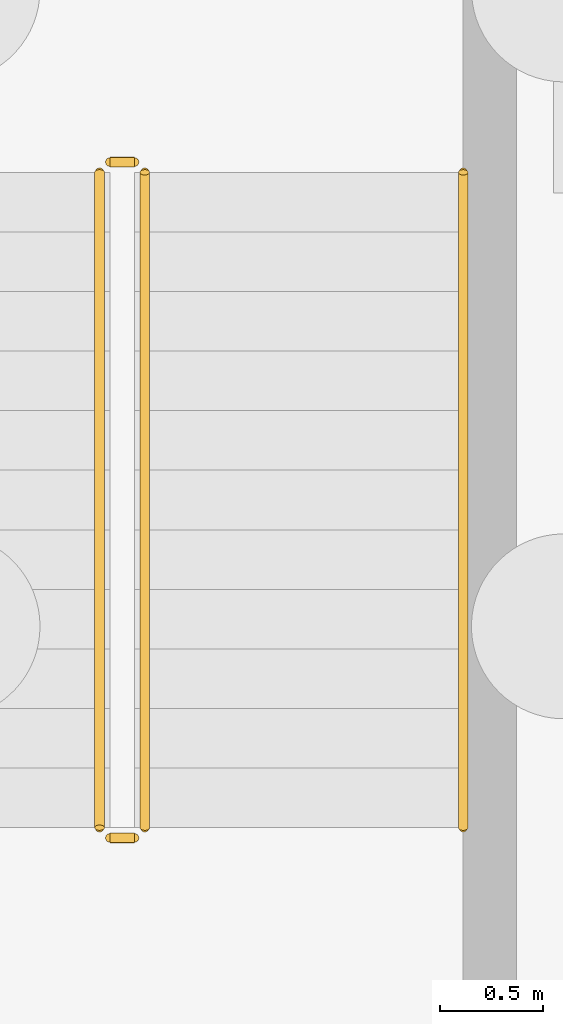
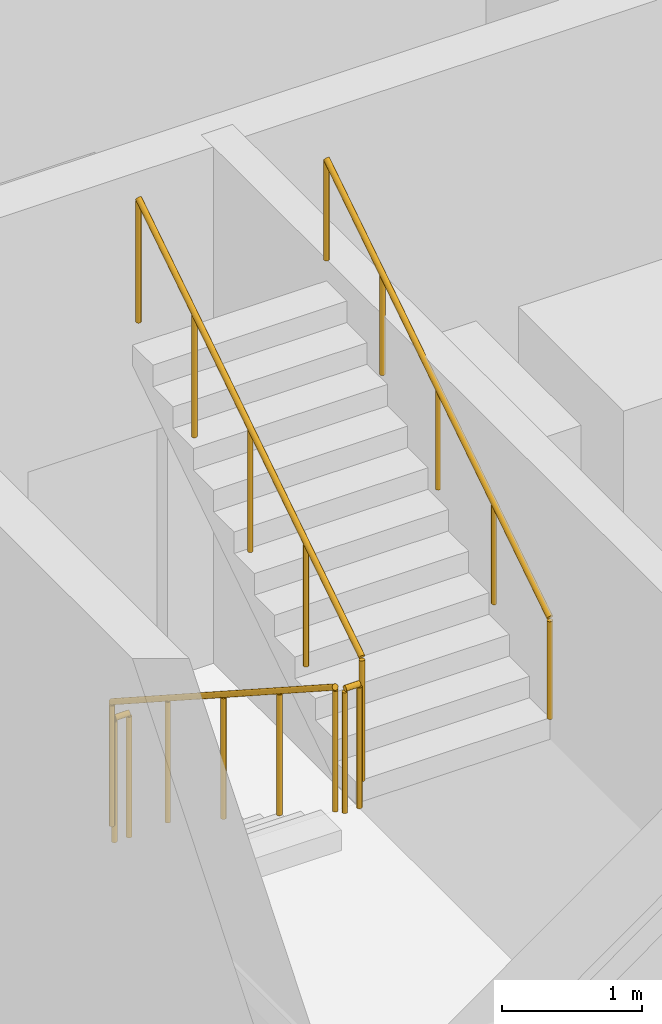
# One storey, part 17 of 22: 5 railings.
"""IFC4 building model written with IfcOpenShell, lengths in metres."""

from ifc_helpers import new_model, si_unit, direction, frame, origin, origin_2d, place, context, subcontext, project, spatial, circle, extrude, material, type_object, element, save


model = new_model("IFC4")

# Units and contexts
model_context = context("Model", 3, precision=1e-05, world=origin(), true_north=direction((0.0, 1.0)))
body_context = subcontext(model_context, "Body", "Model", "MODEL_VIEW")
ifc_project = project(units=[si_unit("LENGTHUNIT", "METRE"), si_unit("AREAUNIT", "SQUARE_METRE"), si_unit("VOLUMEUNIT", "CUBIC_METRE"), si_unit("PLANEANGLEUNIT", "RADIAN"), si_unit("MASSUNIT", "GRAM", prefix="KILO")], contexts=[model_context])

# Site, building, storey
site_placement = place(None, origin())
site = spatial("IfcSite", under=ifc_project, at=site_placement, CompositionType="ELEMENT")
building_placement = place(site_placement, origin())
building = spatial("IfcBuilding", under=site, at=building_placement, Name="Vharandega Faculty of Natural Sciences", CompositionType="ELEMENT")
storey_placement = place(building_placement, frame((0.0, 0.0, -4.5)))
storey = spatial("IfcBuildingStorey", under=building, at=storey_placement, Name="B01", CompositionType="ELEMENT", Elevation=-4.5)

# Railings
ifc_material_1 = material(Name="Brushed stainless steel handrail", Category="steel")
railing_type_1 = type_object("IfcRailingType", Name="Stair Tubular Handrail 900", PredefinedType="HANDRAIL", material=ifc_material_1)
railing_1_placement = place(storey_placement, frame((35.510009765625, 43.02001953125, 2.4375)))
element("IfcRailing", 1, at=railing_1_placement, inside=storey, type_object=railing_type_1, Name="B01 ST3 stair handrail 2", PredefinedType="HANDRAIL", context=body_context, shape_type="SweptSolid", body=[
    extrude(circle(Radius=0.02392578125, at=origin_2d()), frame((0.0, 0.0, 0.8759765625), z_axis=(0.0, 0.839759782654, 0.542958108362), x_axis=(-1.0, 0.0, 0.0)), (0.0, 0.0, 1.0), 3.798583984375),
    extrude(circle(Radius=0.02099609375, at=origin_2d()), origin(), (0.0, 0.0, 1.0), 0.851806640625),
    extrude(circle(Radius=0.02099609375, at=origin_2d()), frame((0.0, 0.79736328125, 0.515625)), (0.0, 0.0, 1.0), 0.851806640625),
    extrude(circle(Radius=0.02099609375, at=origin_2d()), frame((0.0, 1.594970703125, 1.03125)), (0.0, 0.0, 1.0), 0.851806640625),
    extrude(circle(Radius=0.02099609375, at=origin_2d()), frame((0.0, 2.392578125, 1.546875)), (0.0, 0.0, 1.0), 0.851806640625),
    extrude(circle(Radius=0.02099609375, at=origin_2d()), frame((0.0, 3.18994140625, 2.0625)), (0.0, 0.0, 1.0), 0.851806640625),
])
ifc_material_2 = material(Name="Painted steel stair guardrail", Category="steel")
railing_type_2 = type_object("IfcRailingType", Name="Stairwell Steel Guardrail 1100", PredefinedType="GUARDRAIL", material=ifc_material_2)
railing_2_placement = place(storey_placement, frame((33.739990234375, 46.2099609375, 0.1875)))
element("IfcRailing", 2, at=railing_2_placement, inside=storey, type_object=railing_type_2, Name="B01 ST3 stair guard 1", PredefinedType="GUARDRAIL", context=body_context, shape_type="SweptSolid", body=[
    extrude(circle(Radius=0.02392578125, at=origin_2d()), frame((0.0, 0.0, 1.076171875), z_axis=(0.0, -0.839759782654, 0.542958108362), x_axis=(1.0, 0.0, 0.0)), (0.0, 0.0, 1.0), 3.798583984375),
    extrude(circle(Radius=0.02099609375, at=origin_2d()), origin(), (0.0, 0.0, 1.0), 1.052001953125),
    extrude(circle(Radius=0.02099609375, at=origin_2d()), frame((0.0, -0.79736328125, 0.515625)), (0.0, 0.0, 1.0), 1.052001953125),
    extrude(circle(Radius=0.02099609375, at=origin_2d()), frame((0.0, -1.594970703125, 1.03125)), (0.0, 0.0, 1.0), 1.052001953125),
    extrude(circle(Radius=0.02099609375, at=origin_2d()), frame((0.0, -2.392578125, 1.546875)), (0.0, 0.0, 1.0), 1.052001953125),
    extrude(circle(Radius=0.02099609375, at=origin_2d()), frame((0.0, -3.18994140625, 2.0625)), (0.0, 0.0, 1.0), 1.052001953125),
])
railing_3_placement = place(storey_placement, frame((33.7900390625, 42.969970703125, 2.25)))
element("IfcRailing", 3, at=railing_3_placement, inside=storey, type_object=railing_type_2, Name="B01 ST3 stair guard 2", PredefinedType="GUARDRAIL", context=body_context, shape_type="SweptSolid", body=[
    extrude(circle(Radius=0.02392578125, at=origin_2d()), frame((0.0, 0.0, 1.076171875), z_axis=(1.0, 0.0, 0.0), x_axis=(0.0, 1.0, 0.0)), (0.0, 0.0, 1.0), 0.119873046875),
    extrude(circle(Radius=0.02099609375, at=origin_2d()), origin(), (0.0, 0.0, 1.0), 1.052001953125),
    extrude(circle(Radius=0.02099609375, at=origin_2d()), frame((0.119873046875, 0.0, 0.0)), (0.0, 0.0, 1.0), 1.052001953125),
])
railing_4_placement = place(storey_placement, frame((33.9599609375, 43.02001953125, 2.4375)))
element("IfcRailing", 4, at=railing_4_placement, inside=storey, type_object=railing_type_2, Name="B01 ST3 stair guard 3", PredefinedType="GUARDRAIL", context=body_context, shape_type="SweptSolid", body=[
    extrude(circle(Radius=0.02392578125, at=origin_2d()), frame((0.0, 0.0, 1.076171875), z_axis=(0.0, 0.839759782654, 0.542958108362), x_axis=(-1.0, 0.0, 0.0)), (0.0, 0.0, 1.0), 3.798583984375),
    extrude(circle(Radius=0.02099609375, at=origin_2d()), origin(), (0.0, 0.0, 1.0), 1.052001953125),
    extrude(circle(Radius=0.02099609375, at=origin_2d()), frame((0.0, 0.79736328125, 0.515625)), (0.0, 0.0, 1.0), 1.052001953125),
    extrude(circle(Radius=0.02099609375, at=origin_2d()), frame((0.0, 1.594970703125, 1.03125)), (0.0, 0.0, 1.0), 1.052001953125),
    extrude(circle(Radius=0.02099609375, at=origin_2d()), frame((0.0, 2.392578125, 1.546875)), (0.0, 0.0, 1.0), 1.052001953125),
    extrude(circle(Radius=0.02099609375, at=origin_2d()), frame((0.0, 3.18994140625, 2.0625)), (0.0, 0.0, 1.0), 1.052001953125),
])
railing_5_placement = place(storey_placement, frame((33.7900390625, 46.260009765625, 0.0)))
element("IfcRailing", 5, at=railing_5_placement, inside=storey, type_object=railing_type_2, Name="B01 ST3 stair guard 4", PredefinedType="GUARDRAIL", context=body_context, shape_type="SweptSolid", body=[
    extrude(circle(Radius=0.02392578125, at=origin_2d()), frame((0.0, 0.0, 1.076171875), z_axis=(1.0, 0.0, 0.0), x_axis=(0.0, 1.0, 0.0)), (0.0, 0.0, 1.0), 0.119873046875),
    extrude(circle(Radius=0.02099609375, at=origin_2d()), origin(), (0.0, 0.0, 1.0), 1.052001953125),
    extrude(circle(Radius=0.02099609375, at=origin_2d()), frame((0.119873046875, 0.0, 0.0)), (0.0, 0.0, 1.0), 1.052001953125),
])

save(model, "model.ifc")
